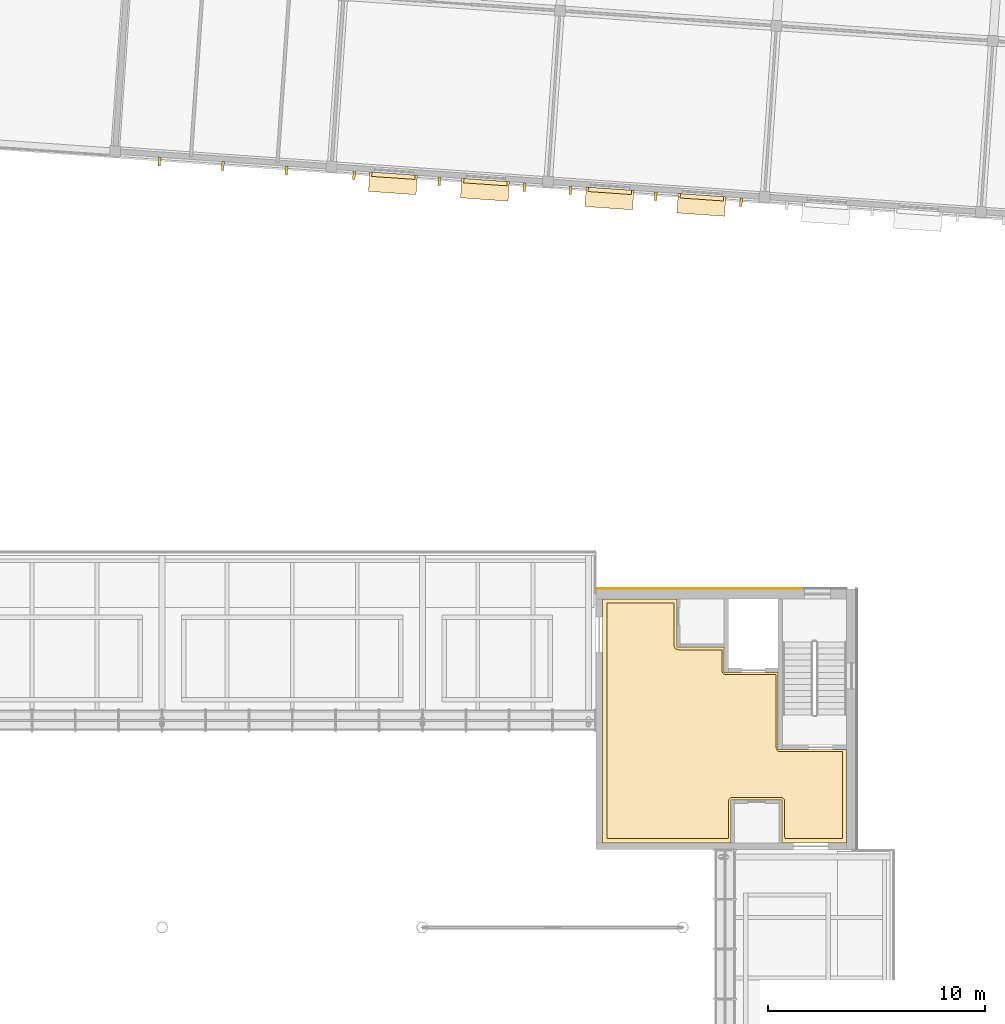
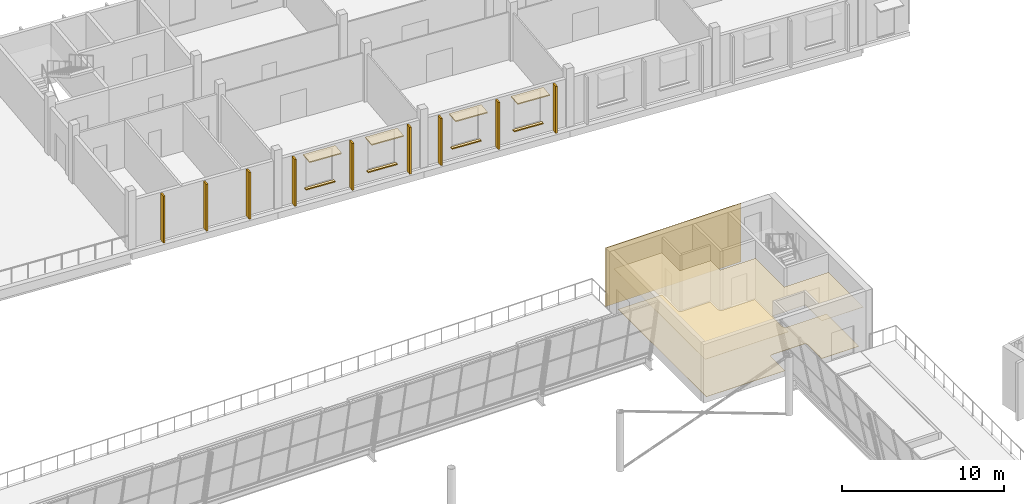
# One storey, part 53 of 58: 11 coverings, 9 shading devices.
"""IFC4 building model written with IfcOpenShell, lengths in metres."""

from ifc_helpers import new_model, si_unit, direction, frame, origin, place, context, subcontext, project, spatial, polyline, outline, extrude, material, layer, layer_set, type_object, element, save


model = new_model("IFC4")

# Units and contexts
model_context = context("Model", 3, precision=1e-05, world=origin(), true_north=direction((0.0, 1.0)))
body_context = subcontext(model_context, "Body", "Model", "MODEL_VIEW")
ifc_project = project(units=[si_unit("LENGTHUNIT", "METRE"), si_unit("AREAUNIT", "SQUARE_METRE"), si_unit("VOLUMEUNIT", "CUBIC_METRE"), si_unit("PLANEANGLEUNIT", "RADIAN"), si_unit("MASSUNIT", "GRAM", prefix="KILO")], contexts=[model_context])

# Site, building, storey
site_placement = place(None, origin())
site = spatial("IfcSite", under=ifc_project, at=site_placement, CompositionType="ELEMENT")
building_placement = place(site_placement, origin())
building = spatial("IfcBuilding", under=site, at=building_placement, Name="Windward Yard Aquatics Centre", CompositionType="ELEMENT")
storey_placement = place(building_placement, frame((0.0, 0.0, 13.800048828125)))
storey = spatial("IfcBuildingStorey", under=building, at=storey_placement, Name="L03", CompositionType="ELEMENT", Elevation=13.800048828125)

# Coverings
ifc_material_1 = material(Name="Polished screed")
ifc_layer_1 = layer(ifc_material_1, 0.0400390625)
ifc_layer_set_1 = layer_set([ifc_layer_1], Name="H Floor Finish Screed 40")
covering_type_1 = type_object("IfcCoveringType", Name="H Floor Finish Screed 40", PredefinedType="FLOORING", material=ifc_layer_set_1)
covering_1_placement = place(storey_placement, origin())
element("IfcCovering", 1, at=covering_1_placement, inside=storey, type_object=covering_type_1, Name="Core Lobby NE floor finish", PredefinedType="FLOORING", context=body_context, shape_type="SweptSolid", body=[
    extrude(outline(polyline([(140.5, 84.5), (140.5, 95.35009765625), (143.60009765625, 95.35009765625), (143.60009765625, 93.39990234375), (143.60107421875, 93.38037109375), (143.608642578125, 93.341796875), (143.62353515625, 93.3056640625), (143.6337890625, 93.288818359375), (143.65869140625, 93.258544921875), (143.68896484375, 93.233642578125), (143.723388671875, 93.215087890625), (143.741943359375, 93.20849609375), (143.780517578125, 93.200927734375), (143.800048828125, 93.199951171875), (145.800048828125, 93.199951171875), (145.801025390625, 92.23046875), (145.80859375, 92.19189453125), (145.815185546875, 92.173583984375), (145.833740234375, 92.138916015625), (145.845458984375, 92.123046875), (145.858642578125, 92.108642578125), (145.888916015625, 92.083740234375), (145.923583984375, 92.065185546875), (145.94189453125, 92.05859375), (145.98046875, 92.051025390625), (146.0, 92.050048828125), (148.300048828125, 92.050048828125), (148.300048828125, 88.699951171875), (148.3037109375, 88.660888671875), (148.315185546875, 88.62353515625), (148.333740234375, 88.5888671875), (148.358642578125, 88.55859375), (148.373046875, 88.54541015625), (148.40576171875, 88.523681640625), (148.44189453125, 88.508544921875), (148.48046875, 88.5009765625), (148.5, 88.5), (151.35009765625, 88.5), (151.35009765625, 84.5), (148.699951171875, 84.5), (148.698974609375, 86.219482421875), (148.69140625, 86.258056640625), (148.684814453125, 86.276611328125), (148.666259765625, 86.31103515625), (148.641357421875, 86.34130859375), (148.611083984375, 86.3662109375), (148.576416015625, 86.384765625), (148.5390625, 86.396240234375), (148.5, 86.39990234375), (146.300048828125, 86.39990234375), (146.280517578125, 86.39892578125), (146.241943359375, 86.391357421875), (146.205810546875, 86.37646484375), (146.173095703125, 86.3544921875), (146.15869140625, 86.34130859375), (146.1337890625, 86.31103515625), (146.115234375, 86.276611328125), (146.103759765625, 86.239013671875), (146.10009765625, 86.199951171875), (146.10009765625, 84.5), (140.5, 84.5)])), origin(), (0.0, 0.0, 1.0), 0.02001953125),
])
ifc_material_2 = material(Name="Mineral fibre tile")
ifc_layer_2 = layer(ifc_material_2, 0.02001953125)
ifc_layer_set_2 = layer_set([ifc_layer_2], Name="H Suspended Ceiling 600 x 600")
covering_type_2 = type_object("IfcCoveringType", Name="H Suspended Ceiling 600 x 600", PredefinedType="CEILING", material=ifc_layer_set_2)
covering_2_placement = place(storey_placement, frame((0.0, 0.0, 3.0)))
element("IfcCovering", 2, at=covering_2_placement, inside=storey, type_object=covering_type_2, Name="Core Lobby NE ceiling", PredefinedType="CEILING", context=body_context, shape_type="SweptSolid", body=[
    extrude(outline(polyline([(140.300537109375, 84.300537109375), (140.300537109375, 95.549560546875), (143.724609375, 95.549560546875), (143.724609375, 93.324951171875), (145.8994140625, 93.324462890625), (145.8994140625, 92.14990234375), (148.3994140625, 92.1494140625), (148.3994140625, 88.60009765625), (151.549560546875, 88.599609375), (151.549560546875, 84.300537109375), (148.575439453125, 84.300537109375), (148.575439453125, 86.27490234375), (148.425048828125, 86.275390625), (146.224609375, 86.27490234375), (146.224609375, 84.300537109375), (140.300537109375, 84.300537109375)])), origin(), (0.0, 0.0, 1.0), 0.02001953125),
])
ifc_material_3 = material(Name="Natural limestone cladding", Category="masonry")
ifc_layer_3 = layer(ifc_material_3, 0.0400390625)
ifc_layer_set_3 = layer_set([ifc_layer_3], Name="H natural stone cladding 40")
covering_type_3 = type_object("IfcCoveringType", Name="H natural stone cladding 40", PredefinedType="CLADDING", material=ifc_layer_set_3)
covering_3_placement = place(storey_placement, origin())
element("IfcCovering", 3, at=covering_3_placement, inside=storey, type_object=covering_type_3, Name="Stone cladding panel 53", PredefinedType="CLADDING", context=body_context, shape_type="SweptSolid", body=[
    extrude(outline(polyline([(140.0, 96.0), (140.0, 96.0400390625), (149.60009765625, 96.0400390625), (149.60009765625, 96.0), (140.0, 96.0)])), origin(), (0.0, 0.0, 1.0), 4.39990234375),
])

# Shading devices
ifc_material_4 = material(Name="Timber-look aluminium batten, powder coated", Category="wood")
shading_device_type = type_object("IfcShadingDeviceType", Name="W vertical fin 120x400", PredefinedType="USERDEFINED", material=ifc_material_4)
shading_device_1_placement = place(storey_placement, origin())
element("IfcShadingDevice", 4, at=shading_device_1_placement, inside=storey, type_object=shading_device_type, Name="Vertical fin W.FW.L03.S.46.8.1.1", ObjectType="FIN", PredefinedType="USERDEFINED", context=body_context, shape_type="SweptSolid", body=[
    extrude(outline(polyline([(119.80419921875, 115.50390625), (119.83203125, 115.90283203125), (119.95166015625, 115.89453125), (119.923828125, 115.49560546875), (119.80419921875, 115.50390625)])), origin(), (0.0, 0.0, 1.0), 3.52001953125),
])
shading_device_2_placement = place(storey_placement, origin())
element("IfcShadingDevice", 5, at=shading_device_2_placement, inside=storey, type_object=shading_device_type, Name="Vertical fin W.FW.L03.S.46.8.1.2", ObjectType="FIN", PredefinedType="USERDEFINED", context=body_context, shape_type="SweptSolid", body=[
    extrude(outline(polyline([(122.730224609375, 115.29931640625), (122.758056640625, 115.6982421875), (122.877685546875, 115.68994140625), (122.849853515625, 115.290771484375), (122.730224609375, 115.29931640625)])), origin(), (0.0, 0.0, 1.0), 3.52001953125),
])
shading_device_3_placement = place(storey_placement, origin())
element("IfcShadingDevice", 6, at=shading_device_3_placement, inside=storey, type_object=shading_device_type, Name="Vertical fin W.FW.L03.S.46.8.1.3", ObjectType="FIN", PredefinedType="USERDEFINED", context=body_context, shape_type="SweptSolid", body=[
    extrude(outline(polyline([(125.656494140625, 115.094482421875), (125.684326171875, 115.49365234375), (125.803955078125, 115.485107421875), (125.776123046875, 115.086181640625), (125.656494140625, 115.094482421875)])), origin(), (0.0, 0.0, 1.0), 3.52001953125),
])
shading_device_4_placement = place(storey_placement, origin())
element("IfcShadingDevice", 7, at=shading_device_4_placement, inside=storey, type_object=shading_device_type, Name="Vertical fin W.FW.L03.S.56.8.1.1", ObjectType="FIN", PredefinedType="USERDEFINED", context=body_context, shape_type="SweptSolid", body=[
    extrude(outline(polyline([(128.77783203125, 114.876220703125), (128.805908203125, 115.275390625), (128.925537109375, 115.266845703125), (128.897705078125, 114.867919921875), (128.77783203125, 114.876220703125)])), origin(), (0.0, 0.0, 1.0), 3.52001953125),
])
shading_device_5_placement = place(storey_placement, origin())
element("IfcShadingDevice", 8, at=shading_device_5_placement, inside=storey, type_object=shading_device_type, Name="Vertical fin W.FW.L03.S.56.8.2.1", ObjectType="FIN", PredefinedType="USERDEFINED", context=body_context, shape_type="SweptSolid", body=[
    extrude(outline(polyline([(132.705810546875, 114.6015625), (132.73388671875, 115.00048828125), (132.853515625, 114.9921875), (132.82568359375, 114.59326171875), (132.705810546875, 114.6015625)])), origin(), (0.0, 0.0, 1.0), 3.52001953125),
])
shading_device_6_placement = place(storey_placement, origin())
element("IfcShadingDevice", 9, at=shading_device_6_placement, inside=storey, type_object=shading_device_type, Name="Vertical fin W.FW.L03.S.56.8.3.1", ObjectType="FIN", PredefinedType="USERDEFINED", context=body_context, shape_type="SweptSolid", body=[
    extrude(outline(polyline([(136.6337890625, 114.326904296875), (136.66162109375, 114.72607421875), (136.781494140625, 114.717529296875), (136.75341796875, 114.318603515625), (136.6337890625, 114.326904296875)])), origin(), (0.0, 0.0, 1.0), 3.52001953125),
])
shading_device_7_placement = place(storey_placement, origin())
element("IfcShadingDevice", 10, at=shading_device_7_placement, inside=storey, type_object=shading_device_type, Name="Vertical fin W.FW.L03.S.66.8.1.1", ObjectType="FIN", PredefinedType="USERDEFINED", context=body_context, shape_type="SweptSolid", body=[
    extrude(outline(polyline([(138.75341796875, 114.1787109375), (138.781494140625, 114.577880859375), (138.901123046875, 114.5693359375), (138.873291015625, 114.17041015625), (138.75341796875, 114.1787109375)])), origin(), (0.0, 0.0, 1.0), 3.52001953125),
])
shading_device_8_placement = place(storey_placement, origin())
element("IfcShadingDevice", 11, at=shading_device_8_placement, inside=storey, type_object=shading_device_type, Name="Vertical fin W.FW.L03.S.66.8.2.1", ObjectType="FIN", PredefinedType="USERDEFINED", context=body_context, shape_type="SweptSolid", body=[
    extrude(outline(polyline([(142.681396484375, 113.904052734375), (142.70947265625, 114.302978515625), (142.8291015625, 114.294921875), (142.80126953125, 113.895751953125), (142.681396484375, 113.904052734375)])), origin(), (0.0, 0.0, 1.0), 3.52001953125),
])
shading_device_9_placement = place(storey_placement, origin())
element("IfcShadingDevice", 12, at=shading_device_9_placement, inside=storey, type_object=shading_device_type, Name="Vertical fin W.FW.L03.S.66.8.3.1", ObjectType="FIN", PredefinedType="USERDEFINED", context=body_context, shape_type="SweptSolid", body=[
    extrude(outline(polyline([(146.609375, 113.62939453125), (146.63720703125, 114.028564453125), (146.757080078125, 114.02001953125), (146.72900390625, 113.62109375), (146.609375, 113.62939453125)])), origin(), (0.0, 0.0, 1.0), 3.52001953125),
])

# Coverings
ifc_material_5 = material(Name="Aluminium composite hood, powder coated", Category="aluminium")
ifc_layer_4 = layer(ifc_material_5, 0.080078125)
ifc_layer_set_4 = layer_set([ifc_layer_4], Name="W window hood aluminium 2200x900")
covering_type_4 = type_object("IfcCoveringType", Name="W window hood aluminium 2200x900", PredefinedType="CLADDING", material=ifc_layer_set_4)
covering_4_placement = place(storey_placement, frame((0.0, 0.0, 3.349853515625)))
element("IfcCovering", 13, at=covering_4_placement, inside=storey, type_object=covering_type_4, Name="Window hood W3501", PredefinedType="CLADDING", context=body_context, shape_type="SweptSolid", body=[
    extrude(outline(polyline([(129.513671875, 114.323486328125), (129.576416015625, 115.221435546875), (131.77099609375, 115.068115234375), (131.708251953125, 114.170166015625), (129.513671875, 114.323486328125)])), origin(), (0.0, 0.0, 1.0), 0.080078125),
])
covering_5_placement = place(storey_placement, frame((0.0, 0.0, 3.349853515625)))
element("IfcCovering", 14, at=covering_5_placement, inside=storey, type_object=covering_type_4, Name="Window hood W3502", PredefinedType="CLADDING", context=body_context, shape_type="SweptSolid", body=[
    extrude(outline(polyline([(133.75341796875, 114.027099609375), (133.816162109375, 114.925048828125), (136.0107421875, 114.771484375), (135.947998046875, 113.873779296875), (133.75341796875, 114.027099609375)])), origin(), (0.0, 0.0, 1.0), 0.080078125),
])
covering_6_placement = place(storey_placement, frame((0.0, 0.0, 3.349853515625)))
element("IfcCovering", 15, at=covering_6_placement, inside=storey, type_object=covering_type_4, Name="Window hood W3503", PredefinedType="CLADDING", context=body_context, shape_type="SweptSolid", body=[
    extrude(outline(polyline([(139.4892578125, 113.626220703125), (139.552001953125, 114.52392578125), (141.74658203125, 114.37060546875), (141.683837890625, 113.47265625), (139.4892578125, 113.626220703125)])), origin(), (0.0, 0.0, 1.0), 0.080078125),
])
covering_7_placement = place(storey_placement, frame((0.0, 0.0, 3.349853515625)))
element("IfcCovering", 16, at=covering_7_placement, inside=storey, type_object=covering_type_4, Name="Window hood W3504", PredefinedType="CLADDING", context=body_context, shape_type="SweptSolid", body=[
    extrude(outline(polyline([(143.72900390625, 113.32958984375), (143.791748046875, 114.2275390625), (145.986328125, 114.073974609375), (145.923583984375, 113.17626953125), (143.72900390625, 113.32958984375)])), origin(), (0.0, 0.0, 1.0), 0.080078125),
])
ifc_material_6 = material(Name="Limestone sill", Category="masonry")
ifc_layer_5 = layer(ifc_material_6, 0.080078125)
ifc_layer_set_5 = layer_set([ifc_layer_5], Name="W window sill stone 2000x200")
covering_type_5 = type_object("IfcCoveringType", Name="W window sill stone 2000x200", PredefinedType="CLADDING", material=ifc_layer_set_5)
covering_8_placement = place(storey_placement, frame((0.0, 0.0, 0.820068359375)))
element("IfcCovering", 17, at=covering_8_placement, inside=storey, type_object=covering_type_5, Name="Window sill W3501", PredefinedType="CLADDING", context=body_context, shape_type="SweptSolid", body=[
    extrude(outline(polyline([(129.662353515625, 115.014892578125), (129.67626953125, 115.21435546875), (131.67138671875, 115.074951171875), (131.657470703125, 114.87548828125), (129.662353515625, 115.014892578125)])), origin(), (0.0, 0.0, 1.0), 0.079833984375),
])
covering_9_placement = place(storey_placement, frame((0.0, 0.0, 0.820068359375)))
element("IfcCovering", 18, at=covering_9_placement, inside=storey, type_object=covering_type_5, Name="Window sill W3502", PredefinedType="CLADDING", context=body_context, shape_type="SweptSolid", body=[
    extrude(outline(polyline([(133.90185546875, 114.718505859375), (133.916015625, 114.91796875), (135.910888671875, 114.778564453125), (135.89697265625, 114.5791015625), (133.90185546875, 114.718505859375)])), origin(), (0.0, 0.0, 1.0), 0.079833984375),
])
covering_10_placement = place(storey_placement, frame((0.0, 0.0, 0.820068359375)))
element("IfcCovering", 19, at=covering_10_placement, inside=storey, type_object=covering_type_5, Name="Window sill W3503", PredefinedType="CLADDING", context=body_context, shape_type="SweptSolid", body=[
    extrude(outline(polyline([(139.637939453125, 114.3173828125), (139.65185546875, 114.516845703125), (141.64697265625, 114.37744140625), (141.633056640625, 114.177978515625), (139.637939453125, 114.3173828125)])), origin(), (0.0, 0.0, 1.0), 0.079833984375),
])
covering_11_placement = place(storey_placement, frame((0.0, 0.0, 0.820068359375)))
element("IfcCovering", 20, at=covering_11_placement, inside=storey, type_object=covering_type_5, Name="Window sill W3504", PredefinedType="CLADDING", context=body_context, shape_type="SweptSolid", body=[
    extrude(outline(polyline([(143.87744140625, 114.02099609375), (143.8916015625, 114.220458984375), (145.88671875, 114.0810546875), (145.87255859375, 113.881591796875), (143.87744140625, 114.02099609375)])), origin(), (0.0, 0.0, 1.0), 0.079833984375),
])

save(model, "model.ifc")
